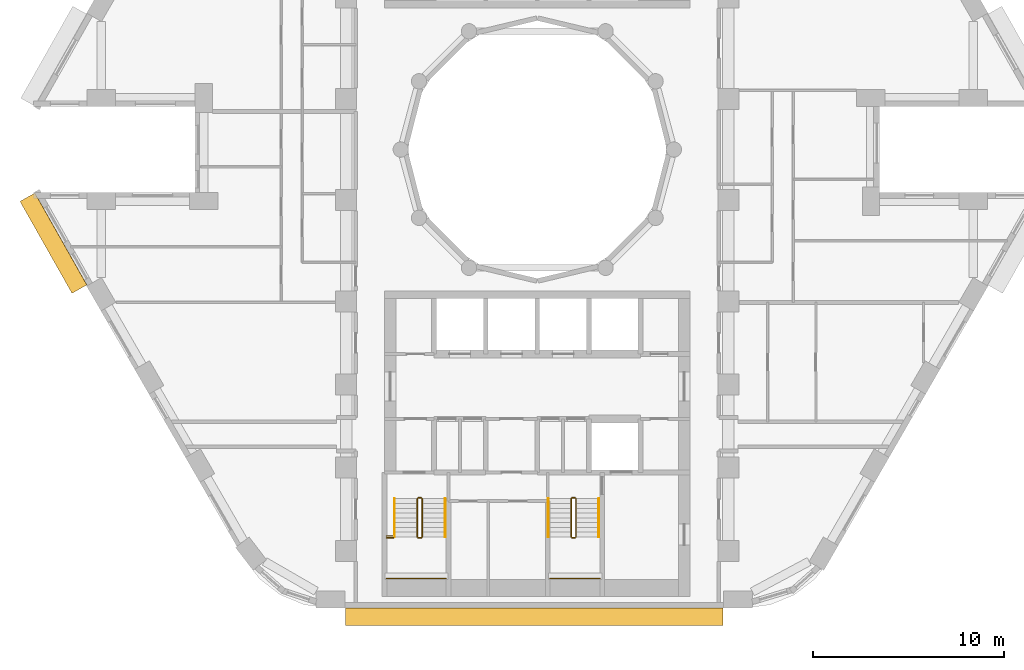
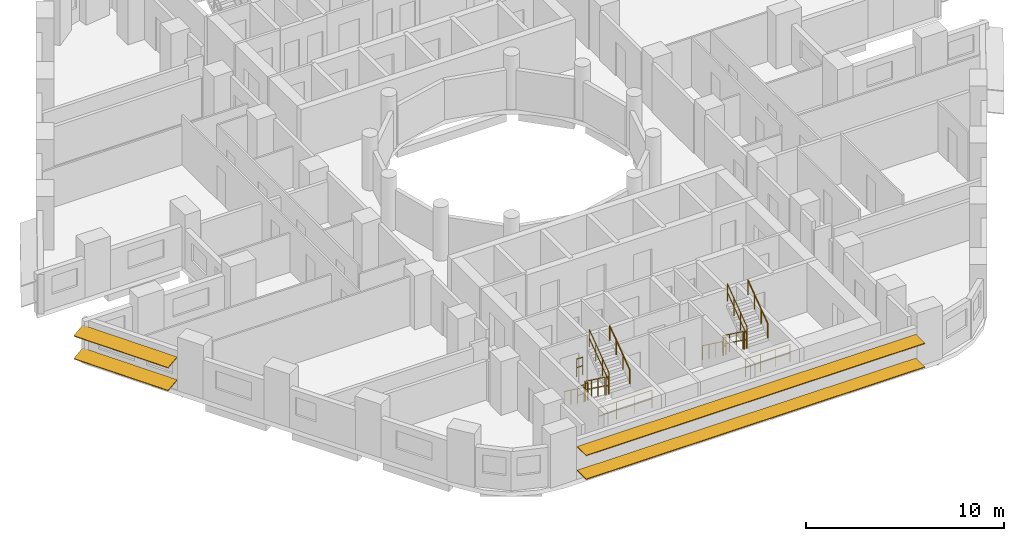
# One storey, part 10 of 12: 16 railings, 4 shading devices.
"""IFC4 building model written with IfcOpenShell, lengths in metres."""

from ifc_helpers import new_model, si_unit, direction, frame, origin, origin_2d, place, context, subcontext, project, spatial, rectangle, circle, extrude, material, material_profile, profile_set, type_object, element, save


model = new_model("IFC4")

# Units and contexts
model_context = context("Model", 3, precision=1e-05, world=origin(), true_north=direction((0.0, 1.0)))
body_context = subcontext(model_context, "Body", "Model", "MODEL_VIEW")
ifc_project = project(units=[si_unit("LENGTHUNIT", "METRE"), si_unit("AREAUNIT", "SQUARE_METRE"), si_unit("VOLUMEUNIT", "CUBIC_METRE"), si_unit("PLANEANGLEUNIT", "RADIAN"), si_unit("MASSUNIT", "GRAM", prefix="KILO")], contexts=[model_context])

# Site, building, storey
site_placement = place(None, origin())
site = spatial("IfcSite", under=ifc_project, at=site_placement, CompositionType="ELEMENT")
building_placement = place(site_placement, origin())
building = spatial("IfcBuilding", under=site, at=building_placement, Name="Nakaniwa Court", CompositionType="ELEMENT")
storey_placement = place(building_placement, frame((0.0, 0.0, 57.89990234375)))
storey = spatial("IfcBuildingStorey", under=building, at=storey_placement, Name="L15", CompositionType="ELEMENT", Elevation=57.89990234375)

# Shading devices
ifc_material_1 = material(Name="Perforated charcoal ceramic louvre blade")
ifc_material_profile = material_profile(ifc_material_1, rectangle(XDim=0.89990234375, YDim=0.050048828125, at=origin_2d()), Name="Perforated ceramic louvre blade")
ifc_profile_set = profile_set([ifc_material_profile], Name="Perforated charcoal ceramic louvre blade")
shading_device_type = type_object("IfcShadingDeviceType", Name="Perforated ceramic louvre blade", PredefinedType="JALOUSIE", material=ifc_profile_set)
for number, where, z_axis, x_axis, name in (
    (1, (53.31689453125, 77.508056640625, 0.550048828125), (0.492342539441, -0.870401530247, 0.0), (0.86275552304, 0.488017576221, 0.132256390257), "L15 perforated ceramic louvre blade w20 1"),
    (2, (53.31689453125, 77.508056640625, 1.955810546875), (0.492342539441, -0.870401530247, 0.0), (0.86275552304, 0.488017576221, 0.132256390257), "L15 perforated ceramic louvre blade w20 2"),
):
    element("IfcShadingDevice", number, at=place(storey_placement, frame(where, z_axis=z_axis, x_axis=x_axis)), inside=storey, type_object=shading_device_type, Name=name, PredefinedType="JALOUSIE", context=body_context, shape_type="SweptSolid", body=[
        extrude(rectangle(XDim=0.89990234375, YDim=0.050048828125, at=origin_2d()), origin(), (0.0, 0.0, 1.0), 5.526611328125),
    ])
for number, where, z_axis, x_axis, name in (
    (3, (69.97119140625, 55.550048828125, 0.550048828125), (1.0, 0.0, 0.0), (0.0, 1.0, 0.0), "L15 perforated ceramic louvre blade w26 1"),
    (4, (69.97119140625, 55.550048828125, 2.01513671875), (1.0, 0.0, 0.0), (0.0, 1.0, 0.0), "L15 perforated ceramic louvre blade w26 2"),
):
    element("IfcShadingDevice", number, at=place(storey_placement, frame(where, z_axis=z_axis, x_axis=x_axis)), inside=storey, type_object=shading_device_type, Name=name, PredefinedType="JALOUSIE", context=body_context, shape_type="SweptSolid", body=[
        extrude(rectangle(XDim=0.89990234375, YDim=0.050048828125, at=origin_2d()), origin(), (0.0, 0.0, 1.0), 19.739990234375),
    ])

# Railings
ifc_material_2 = material(Name="Black powder coated steel guard", Category="steel")
railing_type_1 = type_object("IfcRailingType", Name="Stair guard 1100", PredefinedType="GUARDRAIL", material=ifc_material_2)
railing_1_placement = place(storey_placement, frame((73.72509765625, 61.72509765625, 0.183349609375)))
element("IfcRailing", 5, at=railing_1_placement, inside=storey, type_object=railing_type_1, Name="L15 ST3 stair guard 1", PredefinedType="GUARDRAIL", context=body_context, shape_type="SweptSolid", body=[
    extrude(circle(Radius=0.02392578125, at=origin_2d()), frame((0.0, 0.0, 1.076171875), z_axis=(0.0, -0.806379959628, 0.591397802423), x_axis=(1.0, 0.0, 0.0)), (0.0, 0.0, 1.0), 2.480224609375),
    extrude(circle(Radius=0.02392578125, at=origin_2d()), frame((0.0, 0.0, 0.550048828125), z_axis=(0.0, -0.806379959628, 0.591397802423), x_axis=(1.0, 0.0, 0.0)), (0.0, 0.0, 1.0), 2.480224609375),
    extrude(circle(Radius=0.02099609375, at=origin_2d()), origin(), (0.0, 0.0, 1.0), 1.052001953125),
    extrude(circle(Radius=0.02099609375, at=origin_2d()), frame((0.0, -0.666748046875, 0.489013671875)), (0.0, 0.0, 1.0), 1.052001953125),
    extrude(circle(Radius=0.02099609375, at=origin_2d()), frame((0.0, -1.333251953125, 0.977783203125)), (0.0, 0.0, 1.0), 1.052001953125),
    extrude(circle(Radius=0.02099609375, at=origin_2d()), frame((0.0, -2.0, 1.466796875)), (0.0, 0.0, 1.0), 1.052001953125),
])
railing_2_placement = place(storey_placement, frame((73.77490234375, 59.675048828125, 1.650146484375)))
element("IfcRailing", 6, at=railing_2_placement, inside=storey, type_object=railing_type_1, Name="L15 ST3 stair guard 2", PredefinedType="GUARDRAIL", context=body_context, shape_type="SweptSolid", body=[
    extrude(circle(Radius=0.02392578125, at=origin_2d()), frame((0.0, 0.0, 1.076171875), z_axis=(1.0, 0.0, 0.0), x_axis=(0.0, 1.0, 0.0)), (0.0, 0.0, 1.0), 0.150146484375),
    extrude(circle(Radius=0.02392578125, at=origin_2d()), frame((0.0, 0.0, 0.550048828125), z_axis=(1.0, 0.0, 0.0), x_axis=(0.0, 1.0, 0.0)), (0.0, 0.0, 1.0), 0.150146484375),
    extrude(circle(Radius=0.02099609375, at=origin_2d()), origin(), (0.0, 0.0, 1.0), 1.052001953125),
    extrude(circle(Radius=0.02099609375, at=origin_2d()), frame((0.150146484375, 0.0, 0.0)), (0.0, 0.0, 1.0), 1.052001953125),
])
railing_3_placement = place(storey_placement, frame((73.97509765625, 59.72509765625, 1.83349609375)))
element("IfcRailing", 7, at=railing_3_placement, inside=storey, type_object=railing_type_1, Name="L15 ST3 stair guard 3", PredefinedType="GUARDRAIL", context=body_context, shape_type="SweptSolid", body=[
    extrude(circle(Radius=0.02392578125, at=origin_2d()), frame((0.0, 0.0, 1.076171875), z_axis=(0.0, 0.806426902644, 0.591333789573), x_axis=(-1.0, 0.0, 0.0)), (0.0, 0.0, 1.0), 2.47998046875),
    extrude(circle(Radius=0.02392578125, at=origin_2d()), frame((0.0, 0.0, 0.550048828125), z_axis=(0.0, 0.806426902644, 0.591333789573), x_axis=(-1.0, 0.0, 0.0)), (0.0, 0.0, 1.0), 2.47998046875),
    extrude(circle(Radius=0.02099609375, at=origin_2d()), origin(), (0.0, 0.0, 1.0), 1.052001953125),
    extrude(circle(Radius=0.02099609375, at=origin_2d()), frame((0.0, 0.666748046875, 0.48876953125)), (0.0, 0.0, 1.0), 1.052001953125),
    extrude(circle(Radius=0.02099609375, at=origin_2d()), frame((0.0, 1.333251953125, 0.977783203125)), (0.0, 0.0, 1.0), 1.052001953125),
    extrude(circle(Radius=0.02099609375, at=origin_2d()), frame((0.0, 2.0, 1.466552734375)), (0.0, 0.0, 1.0), 1.052001953125),
])
railing_4_placement = place(storey_placement, frame((73.77490234375, 61.77490234375, 0.0)))
element("IfcRailing", 8, at=railing_4_placement, inside=storey, type_object=railing_type_1, Name="L15 ST3 stair guard 4", PredefinedType="GUARDRAIL", context=body_context, shape_type="SweptSolid", body=[
    extrude(circle(Radius=0.02392578125, at=origin_2d()), frame((0.0, 0.0, 1.076171875), z_axis=(1.0, 0.0, 0.0), x_axis=(0.0, 1.0, 0.0)), (0.0, 0.0, 1.0), 0.150146484375),
    extrude(circle(Radius=0.02392578125, at=origin_2d()), frame((0.0, 0.0, 0.550048828125), z_axis=(1.0, 0.0, 0.0), x_axis=(0.0, 1.0, 0.0)), (0.0, 0.0, 1.0), 0.150146484375),
    extrude(circle(Radius=0.02099609375, at=origin_2d()), origin(), (0.0, 0.0, 1.0), 1.052001953125),
    extrude(circle(Radius=0.02099609375, at=origin_2d()), frame((0.150146484375, 0.0, 0.0)), (0.0, 0.0, 1.0), 1.052001953125),
])
railing_5_placement = place(storey_placement, frame((72.125, 57.550048828125, 1.650146484375)))
element("IfcRailing", 9, at=railing_5_placement, inside=storey, type_object=railing_type_1, Name="L15 ST3 landing end guard 1", PredefinedType="GUARDRAIL", context=body_context, shape_type="SweptSolid", body=[
    extrude(circle(Radius=0.02392578125, at=origin_2d()), frame((0.0, 0.0, 1.076171875), z_axis=(1.0, 0.0, 0.0), x_axis=(0.0, 1.0, 0.0)), (0.0, 0.0, 1.0), 3.10009765625),
    extrude(circle(Radius=0.02392578125, at=origin_2d()), frame((0.0, 0.0, 0.550048828125), z_axis=(1.0, 0.0, 0.0), x_axis=(0.0, 1.0, 0.0)), (0.0, 0.0, 1.0), 3.10009765625),
    extrude(circle(Radius=0.02099609375, at=origin_2d()), origin(), (0.0, 0.0, 1.0), 1.052001953125),
    extrude(circle(Radius=0.02099609375, at=origin_2d()), frame((1.033447265625, 0.0, 0.0)), (0.0, 0.0, 1.0), 1.052001953125),
    extrude(circle(Radius=0.02099609375, at=origin_2d()), frame((2.066650390625, 0.0, 0.0)), (0.0, 0.0, 1.0), 1.052001953125),
    extrude(circle(Radius=0.02099609375, at=origin_2d()), frame((3.10009765625, 0.0, 0.0)), (0.0, 0.0, 1.0), 1.052001953125),
])
for number, where, name in (
    (10, (72.125, 59.675048828125, 1.650146484375), "L15 ST3 landing side guard 1W"),
    (11, (72.125, 59.77490234375, 3.300048828125), "L15 ST3 floor edge guard 1W"),
):
    element("IfcRailing", number, at=place(storey_placement, frame(where)), inside=storey, type_object=railing_type_1, Name=name, PredefinedType="GUARDRAIL", context=body_context, shape_type="SweptSolid", body=[
        extrude(circle(Radius=0.02392578125, at=origin_2d()), frame((0.0, 0.0, 1.076171875), z_axis=(1.0, 0.0, 0.0), x_axis=(0.0, 1.0, 0.0)), (0.0, 0.0, 1.0), 0.35009765625),
        extrude(circle(Radius=0.02392578125, at=origin_2d()), frame((0.0, 0.0, 0.550048828125), z_axis=(1.0, 0.0, 0.0), x_axis=(0.0, 1.0, 0.0)), (0.0, 0.0, 1.0), 0.35009765625),
        extrude(circle(Radius=0.02099609375, at=origin_2d()), origin(), (0.0, 0.0, 1.0), 1.052001953125),
        extrude(circle(Radius=0.02099609375, at=origin_2d()), frame((0.35009765625, 0.0, 0.0)), (0.0, 0.0, 1.0), 1.052001953125),
    ])
railing_6_placement = place(storey_placement, frame((81.77490234375, 61.72509765625, 0.183349609375)))
element("IfcRailing", 12, at=railing_6_placement, inside=storey, type_object=railing_type_1, Name="L15 ST4 stair guard 1", PredefinedType="GUARDRAIL", context=body_context, shape_type="SweptSolid", body=[
    extrude(circle(Radius=0.02392578125, at=origin_2d()), frame((0.0, 0.0, 1.076171875), z_axis=(0.0, -0.806379959628, 0.591397802423), x_axis=(1.0, 0.0, 0.0)), (0.0, 0.0, 1.0), 2.480224609375),
    extrude(circle(Radius=0.02392578125, at=origin_2d()), frame((0.0, 0.0, 0.550048828125), z_axis=(0.0, -0.806379959628, 0.591397802423), x_axis=(1.0, 0.0, 0.0)), (0.0, 0.0, 1.0), 2.480224609375),
    extrude(circle(Radius=0.02099609375, at=origin_2d()), origin(), (0.0, 0.0, 1.0), 1.052001953125),
    extrude(circle(Radius=0.02099609375, at=origin_2d()), frame((0.0, -0.666748046875, 0.489013671875)), (0.0, 0.0, 1.0), 1.052001953125),
    extrude(circle(Radius=0.02099609375, at=origin_2d()), frame((0.0, -1.333251953125, 0.977783203125)), (0.0, 0.0, 1.0), 1.052001953125),
    extrude(circle(Radius=0.02099609375, at=origin_2d()), frame((0.0, -2.0, 1.466796875)), (0.0, 0.0, 1.0), 1.052001953125),
])
railing_7_placement = place(storey_placement, frame((81.824951171875, 59.675048828125, 1.650146484375)))
element("IfcRailing", 13, at=railing_7_placement, inside=storey, type_object=railing_type_1, Name="L15 ST4 stair guard 2", PredefinedType="GUARDRAIL", context=body_context, shape_type="SweptSolid", body=[
    extrude(circle(Radius=0.02392578125, at=origin_2d()), frame((0.0, 0.0, 1.076171875), z_axis=(1.0, 0.0, 0.0), x_axis=(0.0, 1.0, 0.0)), (0.0, 0.0, 1.0), 0.150146484375),
    extrude(circle(Radius=0.02392578125, at=origin_2d()), frame((0.0, 0.0, 0.550048828125), z_axis=(1.0, 0.0, 0.0), x_axis=(0.0, 1.0, 0.0)), (0.0, 0.0, 1.0), 0.150146484375),
    extrude(circle(Radius=0.02099609375, at=origin_2d()), origin(), (0.0, 0.0, 1.0), 1.052001953125),
    extrude(circle(Radius=0.02099609375, at=origin_2d()), frame((0.150146484375, 0.0, 0.0)), (0.0, 0.0, 1.0), 1.052001953125),
])
railing_8_placement = place(storey_placement, frame((82.02490234375, 59.72509765625, 1.83349609375)))
element("IfcRailing", 14, at=railing_8_placement, inside=storey, type_object=railing_type_1, Name="L15 ST4 stair guard 3", PredefinedType="GUARDRAIL", context=body_context, shape_type="SweptSolid", body=[
    extrude(circle(Radius=0.02392578125, at=origin_2d()), frame((0.0, 0.0, 1.076171875), z_axis=(0.0, 0.806426902644, 0.591333789573), x_axis=(-1.0, 0.0, 0.0)), (0.0, 0.0, 1.0), 2.47998046875),
    extrude(circle(Radius=0.02392578125, at=origin_2d()), frame((0.0, 0.0, 0.550048828125), z_axis=(0.0, 0.806426902644, 0.591333789573), x_axis=(-1.0, 0.0, 0.0)), (0.0, 0.0, 1.0), 2.47998046875),
    extrude(circle(Radius=0.02099609375, at=origin_2d()), origin(), (0.0, 0.0, 1.0), 1.052001953125),
    extrude(circle(Radius=0.02099609375, at=origin_2d()), frame((0.0, 0.666748046875, 0.48876953125)), (0.0, 0.0, 1.0), 1.052001953125),
    extrude(circle(Radius=0.02099609375, at=origin_2d()), frame((0.0, 1.333251953125, 0.977783203125)), (0.0, 0.0, 1.0), 1.052001953125),
    extrude(circle(Radius=0.02099609375, at=origin_2d()), frame((0.0, 2.0, 1.466552734375)), (0.0, 0.0, 1.0), 1.052001953125),
])
railing_9_placement = place(storey_placement, frame((81.824951171875, 61.77490234375, 0.0)))
element("IfcRailing", 15, at=railing_9_placement, inside=storey, type_object=railing_type_1, Name="L15 ST4 stair guard 4", PredefinedType="GUARDRAIL", context=body_context, shape_type="SweptSolid", body=[
    extrude(circle(Radius=0.02392578125, at=origin_2d()), frame((0.0, 0.0, 1.076171875), z_axis=(1.0, 0.0, 0.0), x_axis=(0.0, 1.0, 0.0)), (0.0, 0.0, 1.0), 0.150146484375),
    extrude(circle(Radius=0.02392578125, at=origin_2d()), frame((0.0, 0.0, 0.550048828125), z_axis=(1.0, 0.0, 0.0), x_axis=(0.0, 1.0, 0.0)), (0.0, 0.0, 1.0), 0.150146484375),
    extrude(circle(Radius=0.02099609375, at=origin_2d()), origin(), (0.0, 0.0, 1.0), 1.052001953125),
    extrude(circle(Radius=0.02099609375, at=origin_2d()), frame((0.150146484375, 0.0, 0.0)), (0.0, 0.0, 1.0), 1.052001953125),
])
railing_10_placement = place(storey_placement, frame((80.675048828125, 57.550048828125, 1.650146484375)))
element("IfcRailing", 16, at=railing_10_placement, inside=storey, type_object=railing_type_1, Name="L15 ST4 landing end guard 1", PredefinedType="GUARDRAIL", context=body_context, shape_type="SweptSolid", body=[
    extrude(circle(Radius=0.02392578125, at=origin_2d()), frame((0.0, 0.0, 1.076171875), z_axis=(1.0, 0.0, 0.0), x_axis=(0.0, 1.0, 0.0)), (0.0, 0.0, 1.0), 2.599853515625),
    extrude(circle(Radius=0.02392578125, at=origin_2d()), frame((0.0, 0.0, 0.550048828125), z_axis=(1.0, 0.0, 0.0), x_axis=(0.0, 1.0, 0.0)), (0.0, 0.0, 1.0), 2.599853515625),
    extrude(circle(Radius=0.02099609375, at=origin_2d()), origin(), (0.0, 0.0, 1.0), 1.052001953125),
    extrude(circle(Radius=0.02099609375, at=origin_2d()), frame((0.86669921875, 0.0, 0.0)), (0.0, 0.0, 1.0), 1.052001953125),
    extrude(circle(Radius=0.02099609375, at=origin_2d()), frame((1.733154296875, 0.0, 0.0)), (0.0, 0.0, 1.0), 1.052001953125),
    extrude(circle(Radius=0.02099609375, at=origin_2d()), frame((2.599853515625, 0.0, 0.0)), (0.0, 0.0, 1.0), 1.052001953125),
])
ifc_material_3 = material(Name="Black powder coated steel handrail", Category="steel")
railing_type_2 = type_object("IfcRailingType", Name="Stair handrail 900", PredefinedType="HANDRAIL", material=ifc_material_3)
railing_11_placement = place(storey_placement, frame((72.52490234375, 61.72509765625, 0.183349609375)))
element("IfcRailing", 17, at=railing_11_placement, inside=storey, type_object=railing_type_2, Name="L15 ST3 stair handrail 1", PredefinedType="HANDRAIL", context=body_context, shape_type="SweptSolid", body=[
    extrude(circle(Radius=0.02392578125, at=origin_2d()), frame((0.0, 0.0, 0.8759765625), z_axis=(0.0, -0.806379959628, 0.591397802423), x_axis=(1.0, 0.0, 0.0)), (0.0, 0.0, 1.0), 2.480224609375),
    extrude(circle(Radius=0.02099609375, at=origin_2d()), origin(), (0.0, 0.0, 1.0), 0.851806640625),
    extrude(circle(Radius=0.02099609375, at=origin_2d()), frame((0.0, -0.666748046875, 0.489013671875)), (0.0, 0.0, 1.0), 0.851806640625),
    extrude(circle(Radius=0.02099609375, at=origin_2d()), frame((0.0, -1.333251953125, 0.977783203125)), (0.0, 0.0, 1.0), 0.851806640625),
    extrude(circle(Radius=0.02099609375, at=origin_2d()), frame((0.0, -2.0, 1.466796875)), (0.0, 0.0, 1.0), 0.851806640625),
])
railing_12_placement = place(storey_placement, frame((75.175048828125, 59.72509765625, 1.83349609375)))
element("IfcRailing", 18, at=railing_12_placement, inside=storey, type_object=railing_type_2, Name="L15 ST3 stair handrail 2", PredefinedType="HANDRAIL", context=body_context, shape_type="SweptSolid", body=[
    extrude(circle(Radius=0.02392578125, at=origin_2d()), frame((0.0, 0.0, 0.8759765625), z_axis=(0.0, 0.806426902644, 0.591333789573), x_axis=(-1.0, 0.0, 0.0)), (0.0, 0.0, 1.0), 2.47998046875),
    extrude(circle(Radius=0.02099609375, at=origin_2d()), origin(), (0.0, 0.0, 1.0), 0.851806640625),
    extrude(circle(Radius=0.02099609375, at=origin_2d()), frame((0.0, 0.666748046875, 0.48876953125)), (0.0, 0.0, 1.0), 0.851806640625),
    extrude(circle(Radius=0.02099609375, at=origin_2d()), frame((0.0, 1.333251953125, 0.977783203125)), (0.0, 0.0, 1.0), 0.851806640625),
    extrude(circle(Radius=0.02099609375, at=origin_2d()), frame((0.0, 2.0, 1.466552734375)), (0.0, 0.0, 1.0), 0.851806640625),
])
railing_13_placement = place(storey_placement, frame((80.574951171875, 61.72509765625, 0.183349609375)))
element("IfcRailing", 19, at=railing_13_placement, inside=storey, type_object=railing_type_2, Name="L15 ST4 stair handrail 1", PredefinedType="HANDRAIL", context=body_context, shape_type="SweptSolid", body=[
    extrude(circle(Radius=0.02392578125, at=origin_2d()), frame((0.0, 0.0, 0.8759765625), z_axis=(0.0, -0.806379959628, 0.591397802423), x_axis=(1.0, 0.0, 0.0)), (0.0, 0.0, 1.0), 2.480224609375),
    extrude(circle(Radius=0.02099609375, at=origin_2d()), origin(), (0.0, 0.0, 1.0), 0.851806640625),
    extrude(circle(Radius=0.02099609375, at=origin_2d()), frame((0.0, -0.666748046875, 0.489013671875)), (0.0, 0.0, 1.0), 0.851806640625),
    extrude(circle(Radius=0.02099609375, at=origin_2d()), frame((0.0, -1.333251953125, 0.977783203125)), (0.0, 0.0, 1.0), 0.851806640625),
    extrude(circle(Radius=0.02099609375, at=origin_2d()), frame((0.0, -2.0, 1.466796875)), (0.0, 0.0, 1.0), 0.851806640625),
])
railing_14_placement = place(storey_placement, frame((83.22509765625, 59.72509765625, 1.83349609375)))
element("IfcRailing", 20, at=railing_14_placement, inside=storey, type_object=railing_type_2, Name="L15 ST4 stair handrail 2", PredefinedType="HANDRAIL", context=body_context, shape_type="SweptSolid", body=[
    extrude(circle(Radius=0.02392578125, at=origin_2d()), frame((0.0, 0.0, 0.8759765625), z_axis=(0.0, 0.806426902644, 0.591333789573), x_axis=(-1.0, 0.0, 0.0)), (0.0, 0.0, 1.0), 2.47998046875),
    extrude(circle(Radius=0.02099609375, at=origin_2d()), origin(), (0.0, 0.0, 1.0), 0.851806640625),
    extrude(circle(Radius=0.02099609375, at=origin_2d()), frame((0.0, 0.666748046875, 0.48876953125)), (0.0, 0.0, 1.0), 0.851806640625),
    extrude(circle(Radius=0.02099609375, at=origin_2d()), frame((0.0, 1.333251953125, 0.977783203125)), (0.0, 0.0, 1.0), 0.851806640625),
    extrude(circle(Radius=0.02099609375, at=origin_2d()), frame((0.0, 2.0, 1.466552734375)), (0.0, 0.0, 1.0), 0.851806640625),
])

save(model, "model.ifc")
